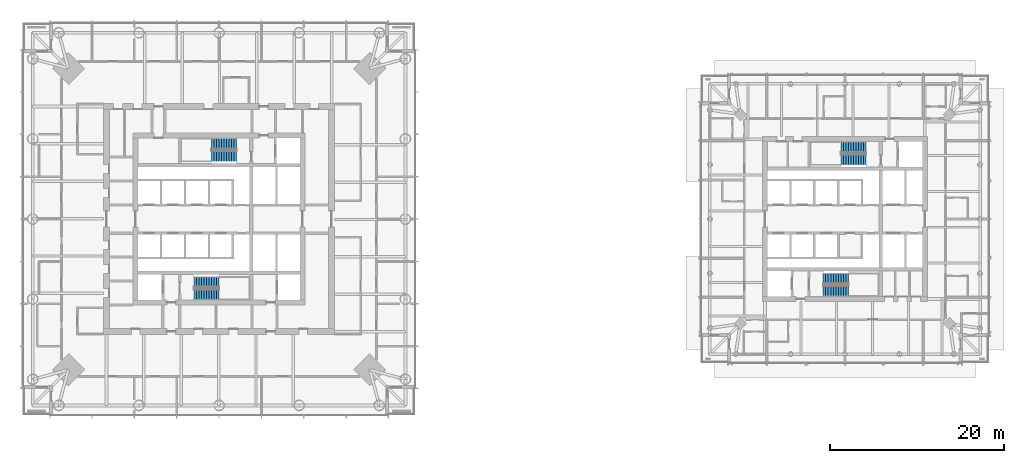
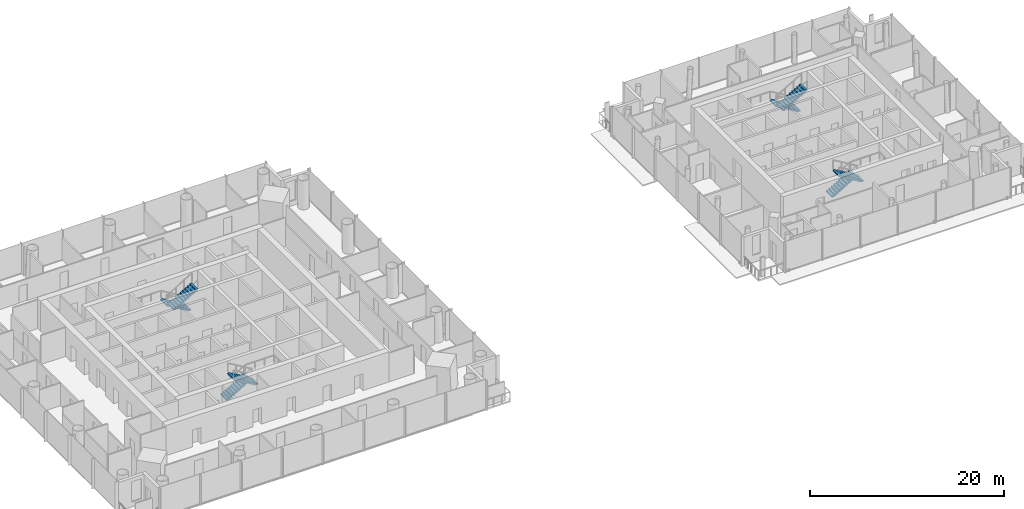
# One storey, part 16 of 20: 8 stair flights, 4 elements without a shape of their own.
"""IFC4 building model written with IfcOpenShell, lengths in metres."""

import ifcopenshell
import ifcopenshell.guid

model = None  # the IFC model being written
_history = None  # IfcOwnerHistory: only IFC2X3 demands one
_inside = {}  # id of a spatial element -> (the spatial element, [elements in it])
_under = {}  # id of a project, library or spatial element -> (it, [spatial elements below it])
_declared = {}  # id of a project -> (the project, [libraries it declares])
_typed = {}  # id of a type object -> (the type object, [elements of that type])
_made_of = {}  # id of a material, layer set ... -> (it, [elements and type objects made of it])


def new_model(schema):
    """Start an empty IFC model of exactly this schema.

    Asked for "IFC4X3", IfcOpenShell would pick the latest addendum, in which some entities
    have other attributes; the version numbers below select the first issue.
    IFC2X3 requires an IfcOwnerHistory on every rooted entity: one is made here for all.
    """
    global model, _history
    if schema == "IFC4X3":
        model = ifcopenshell.file(schema_version=(4, 3, 0, 0))
    else:
        model = ifcopenshell.file(schema=schema)
    _inside.clear()
    _under.clear()
    _declared.clear()
    _typed.clear()
    _made_of.clear()
    _history = None
    if model.schema == "IFC2X3":
        org = make("IfcOrganization", Name="unknown")
        user = make(
            "IfcPersonAndOrganization",
            ThePerson=make("IfcPerson", FamilyName="unknown"),
            TheOrganization=org,
        )
        app = make(
            "IfcApplication",
            ApplicationDeveloper=org,
            Version="unknown",
            ApplicationFullName="unknown",
            ApplicationIdentifier="unknown",
        )
        _history = make(
            "IfcOwnerHistory",
            OwningUser=user,
            OwningApplication=app,
            ChangeAction="ADDED",
            CreationDate=0,
        )
    return model


def make(cls, **values):
    """One entity of the class cls with the attributes given. An attribute that is None is left unset."""
    return model.create_entity(
        cls, **{name: value for name, value in values.items() if value is not None}
    )


def rooted(cls, **values):
    """An entity with a GlobalId (a new one), such as an element, a storey or a relation."""
    return make(cls, GlobalId=ifcopenshell.guid.new(), OwnerHistory=_history, **values)


def si_unit(unit_type, name, prefix=None):
    """IfcSIUnit, for example si_unit("LENGTHUNIT", "METRE", prefix="MILLI")."""
    return make("IfcSIUnit", UnitType=unit_type, Prefix=prefix, Name=name)


def assignment(units):
    """IfcUnitAssignment: the units of a project."""
    return None if units is None else make("IfcUnitAssignment", Units=units)


def point(xyz):
    """IfcCartesianPoint."""
    return None if xyz is None else make("IfcCartesianPoint", Coordinates=xyz)


def direction(xyz):
    """IfcDirection."""
    return None if xyz is None else make("IfcDirection", DirectionRatios=xyz)


def frame(location, z_axis=None, x_axis=None):
    """IfcAxis2Placement3D, a coordinate frame: its origin and axes. An axis left out is left unset."""
    return make(
        "IfcAxis2Placement3D",
        Location=point(location),
        Axis=direction(z_axis),
        RefDirection=direction(x_axis),
    )


def origin():
    """The frame at (0, 0, 0) with its axes left unset."""
    return frame((0.0, 0.0, 0.0))


def place(relative_to, where):
    """IfcLocalPlacement: puts the frame where relative to a parent placement (None: the world)."""
    return make(
        "IfcLocalPlacement", PlacementRelTo=relative_to, RelativePlacement=where
    )


def context(
    kind, dimensions, precision=None, world=None, true_north=None, identifier=None
):
    """IfcGeometricRepresentationContext, for example the 3D "Model" context."""
    return make(
        "IfcGeometricRepresentationContext",
        ContextIdentifier=identifier,
        ContextType=kind,
        CoordinateSpaceDimension=dimensions,
        Precision=precision,
        WorldCoordinateSystem=world,
        TrueNorth=true_north,
    )


def subcontext(parent, identifier, kind, view, scale=None):
    """IfcGeometricRepresentationSubContext, for example "Body" below "Model"."""
    return make(
        "IfcGeometricRepresentationSubContext",
        ContextIdentifier=identifier,
        ContextType=kind,
        ParentContext=parent,
        TargetScale=scale,
        TargetView=view,
    )


def project(units=None, contexts=None):
    """IfcProject with its units and contexts."""
    return rooted(
        "IfcProject",
        Name="project",
        RepresentationContexts=contexts,
        UnitsInContext=assignment(units),
    )


def spatial(cls, under=None, at=None, **own):
    """A site, building, storey or space (cls), placed at a placement, below another one or the project."""
    s = rooted(cls, ObjectPlacement=at, **own)
    if under is not None:
        _under.setdefault(under.id(), (under, []))[1].append(s)
    return s


def polyline(points):
    """IfcPolyline through the points."""
    return make("IfcPolyline", Points=[point(p) for p in points])


def outline(outer, holes=None, kind="AREA"):
    """IfcArbitraryClosedProfileDef: a profile drawn as a closed curve; with holes, ...WithVoids."""
    if holes is None:
        return make("IfcArbitraryClosedProfileDef", ProfileType=kind, OuterCurve=outer)
    return make(
        "IfcArbitraryProfileDefWithVoids",
        ProfileType=kind,
        OuterCurve=outer,
        InnerCurves=holes,
    )


def extrude(swept, where, along, depth):
    """IfcExtrudedAreaSolid: the profile swept, set in the frame where, extruded along a direction by depth."""
    return make(
        "IfcExtrudedAreaSolid",
        SweptArea=swept,
        Position=where,
        ExtrudedDirection=direction(along),
        Depth=depth,
    )


def shape(context_of_items, identifier, shape_type, items):
    """IfcShapeRepresentation: the items that make up one representation, for example the "Body"."""
    return make(
        "IfcShapeRepresentation",
        ContextOfItems=context_of_items,
        RepresentationIdentifier=identifier,
        RepresentationType=shape_type,
        Items=items,
    )


def material(Name=None, Category=None):
    """IfcMaterial."""
    return make("IfcMaterial", Name=Name, Category=Category)


def made_of(thing, what):
    """Note that an element or type object is made of a material, layer set ...; save() writes the relation."""
    if what is not None:
        _made_of.setdefault(what.id(), (what, []))[1].append(thing)
    return thing


def type_object(cls, material=None, **own):
    """A type object (cls), such as IfcWallType, which elements share."""
    return made_of(rooted(cls, **own), material)


def element(
    cls,
    number,
    at=None,
    inside=None,
    cuts=None,
    type_object=None,
    material=None,
    context=None,
    identifier="Body",
    shape_type=None,
    held_by="IfcProductDefinitionShape",
    body=None,
    shapes=None,
    **own,
):
    """One element of the class cls, such as IfcWall. Its Tag is "e" and its number.

    at: its placement. inside: the storey or other place that contains it. cuts: it is an
    opening in that element (IfcRelVoidsElement). A single representation is given by context,
    identifier, shape_type and body (its items); several are given by shapes. held_by: the class
    of the entity that holds the representations. save() writes the other relations.
    """
    e = rooted(cls, Tag="e%d" % number, ObjectPlacement=at, **own)
    if body is not None:
        shapes = [shape(context, identifier, shape_type, body)]
    if shapes is not None:
        e.Representation = make(held_by, Representations=shapes)
    if inside is not None:
        _inside.setdefault(inside.id(), (inside, []))[1].append(e)
    if cuts is not None:
        rooted(
            "IfcRelVoidsElement", RelatingBuildingElement=cuts, RelatedOpeningElement=e
        )
    if type_object is not None:
        _typed.setdefault(type_object.id(), (type_object, []))[1].append(e)
    return made_of(e, material)


def aggregate(whole, parts):
    """IfcRelAggregates: a whole, such as a stair, and the parts it consists of."""
    return rooted("IfcRelAggregates", RelatingObject=whole, RelatedObjects=parts)


def save(model, path):
    """Write the relations noted so far, then the file.

    IfcRelAggregates (storeys below a building ...), IfcRelContainedInSpatialStructure (elements
    in a storey), IfcRelDefinesByType, IfcRelAssociatesMaterial and IfcRelDeclares: one each for
    every whole, place, type object, material and project.
    """
    for whole, parts in _under.values():
        aggregate(whole, parts)
    for where, things in _inside.values():
        rooted(
            "IfcRelContainedInSpatialStructure",
            RelatedElements=things,
            RelatingStructure=where,
        )
    for kind, things in _typed.values():
        rooted("IfcRelDefinesByType", RelatedObjects=things, RelatingType=kind)
    for what, things in _made_of.values():
        rooted("IfcRelAssociatesMaterial", RelatedObjects=things, RelatingMaterial=what)
    for by, libraries in _declared.values():
        rooted("IfcRelDeclares", RelatingContext=by, RelatedDefinitions=libraries)
    model.write(path)


model = new_model("IFC4")

# Units and contexts
model_context = context("Model", 3, precision=1e-05, world=origin(), true_north=direction((0.0, 1.0)))
body_context = subcontext(model_context, "Body", "Model", "MODEL_VIEW")
ifc_project = project(units=[si_unit("LENGTHUNIT", "METRE"), si_unit("AREAUNIT", "SQUARE_METRE"), si_unit("VOLUMEUNIT", "CUBIC_METRE"), si_unit("PLANEANGLEUNIT", "RADIAN"), si_unit("MASSUNIT", "GRAM", prefix="KILO")], contexts=[model_context])

# Site, building, storey
site_placement = place(None, origin())
site = spatial("IfcSite", under=ifc_project, at=site_placement, CompositionType="ELEMENT")
building_placement = place(site_placement, origin())
building = spatial("IfcBuilding", under=site, at=building_placement, Name="Ostroluk Exchange", CompositionType="ELEMENT")
storey_placement = place(building_placement, frame((0.0, 0.0, 100.800048828125)))
storey = spatial("IfcBuildingStorey", under=building, at=storey_placement, Name="L25", CompositionType="ELEMENT", Elevation=100.800048828125)

# Stair, stair flights
ifc_material_1 = material(Name="Concrete C30/37", Category="concrete")
stair_type = type_object("IfcStairType", Name="Exit stair half turn 3800", PredefinedType="HALF_TURN_STAIR", material=ifc_material_1)
stair_1_placement = place(storey_placement, origin())
stair_1 = element("IfcStair", 1, at=stair_1_placement, inside=storey, type_object=stair_type, Name="Stair T1-S1 L25", PredefinedType="HALF_TURN_STAIR")
ifc_material_2 = material(Name="Concrete C30/37", Category="concrete")
stair_flight_type = type_object("IfcStairFlightType", Name="Stair flight 11 risers 172.7 x 290", PredefinedType="STRAIGHT", material=ifc_material_2)
stair_flight_1_placement = place(storey_placement, frame((42.10009765625, 38.77490234375, 0.0), z_axis=(0.0, 0.0, 1.0), x_axis=(1.0, 0.0, 0.0)))
stair_flight_1 = element("IfcStairFlight", 2, at=stair_flight_1_placement, type_object=stair_flight_type, Name="T1-S1 flight 1", NumberOfRisers=11, NumberOfTreads=10, PredefinedType="STRAIGHT", RiserHeight=0.172727273, TreadLength=0.29, context=body_context, shape_type="SweptSolid", body=[
    extrude(outline(polyline([(0.0, 0.0), (0.0, 0.172607421875), (0.2900390625, 0.172607421875), (0.2900390625, 0.345458984375), (0.580078125, 0.345458984375), (0.580078125, 0.51806640625), (0.8701171875, 0.51806640625), (0.8701171875, 0.69091796875), (1.159912109375, 0.69091796875), (1.159912109375, 0.863525390625), (1.449951171875, 0.863525390625), (1.449951171875, 1.036376953125), (1.739990234375, 1.036376953125), (1.739990234375, 1.208984375), (2.030029296875, 1.208984375), (2.030029296875, 1.3818359375), (2.320068359375, 1.3818359375), (2.320068359375, 1.554443359375), (2.610107421875, 1.554443359375), (2.610107421875, 1.727294921875), (2.89990234375, 1.727294921875), (2.89990234375, 1.89990234375), (2.89990234375, 1.552734375), (0.29296875, 0.0), (0.0, 0.0)])), frame((0.0, 0.625, 0.0), z_axis=(0.0, -1.0, 0.0), x_axis=(1.0, 0.0, 0.0)), (0.0, 0.0, 1.0), 1.25),
])
stair_flight_2_placement = place(storey_placement, frame((45.0, 37.324951171875, 1.89990234375), z_axis=(0.0, 0.0, 1.0), x_axis=(-1.0, 0.0, 0.0)))
stair_flight_2 = element("IfcStairFlight", 3, at=stair_flight_2_placement, type_object=stair_flight_type, Name="T1-S1 flight 2", NumberOfRisers=11, NumberOfTreads=10, PredefinedType="STRAIGHT", RiserHeight=0.172727273, TreadLength=0.29, context=body_context, shape_type="SweptSolid", body=[
    extrude(outline(polyline([(0.0, 0.0), (0.0, 0.172607421875), (0.2900390625, 0.172607421875), (0.2900390625, 0.345458984375), (0.580078125, 0.345458984375), (0.580078125, 0.51806640625), (0.8701171875, 0.51806640625), (0.8701171875, 0.69091796875), (1.159912109375, 0.69091796875), (1.159912109375, 0.863525390625), (1.449951171875, 0.863525390625), (1.449951171875, 1.036376953125), (1.739990234375, 1.036376953125), (1.739990234375, 1.208984375), (2.030029296875, 1.208984375), (2.030029296875, 1.3818359375), (2.320068359375, 1.3818359375), (2.320068359375, 1.554443359375), (2.610107421875, 1.554443359375), (2.610107421875, 1.727294921875), (2.89990234375, 1.727294921875), (2.89990234375, 1.89990234375), (2.89990234375, 1.552734375), (0.29296875, 0.0), (0.0, 0.0)])), frame((0.0, 0.625, 0.0), z_axis=(0.0, -1.0, 0.0), x_axis=(1.0, 0.0, 0.0)), (0.0, 0.0, 1.0), 1.25),
])
aggregate(stair_1, [stair_flight_1, stair_flight_2])

stair_2_placement = place(storey_placement, origin())
stair_2 = element("IfcStair", 4, at=stair_2_placement, inside=storey, type_object=stair_type, Name="Stair T1-S2 L25", PredefinedType="HALF_TURN_STAIR")
stair_flight_3_placement = place(storey_placement, frame((47.030029296875, 54.675048828125, 0.0), z_axis=(0.0, 0.0, 1.0), x_axis=(-1.0, 0.0, 0.0)))
stair_flight_3 = element("IfcStairFlight", 5, at=stair_flight_3_placement, type_object=stair_flight_type, Name="T1-S2 flight 1", NumberOfRisers=11, NumberOfTreads=10, PredefinedType="STRAIGHT", RiserHeight=0.172727273, TreadLength=0.29, context=body_context, shape_type="SweptSolid", body=[
    extrude(outline(polyline([(0.0, 0.0), (0.0, 0.172607421875), (0.2900390625, 0.172607421875), (0.2900390625, 0.345458984375), (0.580078125, 0.345458984375), (0.580078125, 0.51806640625), (0.8701171875, 0.51806640625), (0.8701171875, 0.69091796875), (1.159912109375, 0.69091796875), (1.159912109375, 0.863525390625), (1.449951171875, 0.863525390625), (1.449951171875, 1.036376953125), (1.739990234375, 1.036376953125), (1.739990234375, 1.208984375), (2.030029296875, 1.208984375), (2.030029296875, 1.3818359375), (2.320068359375, 1.3818359375), (2.320068359375, 1.554443359375), (2.610107421875, 1.554443359375), (2.610107421875, 1.727294921875), (2.89990234375, 1.727294921875), (2.89990234375, 1.89990234375), (2.89990234375, 1.552734375), (0.29296875, 0.0), (0.0, 0.0)])), frame((0.0, 0.625, 0.0), z_axis=(0.0, -1.0, 0.0), x_axis=(1.0, 0.0, 0.0)), (0.0, 0.0, 1.0), 1.25),
])
stair_flight_4_placement = place(storey_placement, frame((44.1298828125, 53.22509765625, 1.89990234375), z_axis=(0.0, 0.0, 1.0), x_axis=(1.0, 0.0, 0.0)))
stair_flight_4 = element("IfcStairFlight", 6, at=stair_flight_4_placement, type_object=stair_flight_type, Name="T1-S2 flight 2", NumberOfRisers=11, NumberOfTreads=10, PredefinedType="STRAIGHT", RiserHeight=0.172727273, TreadLength=0.29, context=body_context, shape_type="SweptSolid", body=[
    extrude(outline(polyline([(0.0, 0.0), (0.0, 0.172607421875), (0.2900390625, 0.172607421875), (0.2900390625, 0.345458984375), (0.580078125, 0.345458984375), (0.580078125, 0.51806640625), (0.8701171875, 0.51806640625), (0.8701171875, 0.69091796875), (1.159912109375, 0.69091796875), (1.159912109375, 0.863525390625), (1.449951171875, 0.863525390625), (1.449951171875, 1.036376953125), (1.739990234375, 1.036376953125), (1.739990234375, 1.208984375), (2.030029296875, 1.208984375), (2.030029296875, 1.3818359375), (2.320068359375, 1.3818359375), (2.320068359375, 1.554443359375), (2.610107421875, 1.554443359375), (2.610107421875, 1.727294921875), (2.89990234375, 1.727294921875), (2.89990234375, 1.89990234375), (2.89990234375, 1.552734375), (0.29296875, 0.0), (0.0, 0.0)])), frame((0.0, 0.625, 0.0), z_axis=(0.0, -1.0, 0.0), x_axis=(1.0, 0.0, 0.0)), (0.0, 0.0, 1.0), 1.25),
])
aggregate(stair_2, [stair_flight_3, stair_flight_4])

stair_3_placement = place(storey_placement, origin())
stair_3 = element("IfcStair", 7, at=stair_3_placement, inside=storey, type_object=stair_type, Name="Stair T2-S1 L25", PredefinedType="HALF_TURN_STAIR")
stair_flight_5_placement = place(storey_placement, frame((114.5, 39.175048828125, 0.0), z_axis=(0.0, 0.0, 1.0), x_axis=(1.0, 0.0, 0.0)))
stair_flight_5 = element("IfcStairFlight", 8, at=stair_flight_5_placement, type_object=stair_flight_type, Name="T2-S1 flight 1", NumberOfRisers=11, NumberOfTreads=10, PredefinedType="STRAIGHT", RiserHeight=0.172727273, TreadLength=0.29, context=body_context, shape_type="SweptSolid", body=[
    extrude(outline(polyline([(0.0, 0.0), (0.0, 0.172607421875), (0.2900390625, 0.172607421875), (0.2900390625, 0.345458984375), (0.580078125, 0.345458984375), (0.580078125, 0.51806640625), (0.8701171875, 0.51806640625), (0.8701171875, 0.69091796875), (1.159912109375, 0.69091796875), (1.159912109375, 0.863525390625), (1.449951171875, 0.863525390625), (1.449951171875, 1.036376953125), (1.739990234375, 1.036376953125), (1.739990234375, 1.208984375), (2.030029296875, 1.208984375), (2.030029296875, 1.3818359375), (2.320068359375, 1.3818359375), (2.320068359375, 1.554443359375), (2.610107421875, 1.554443359375), (2.610107421875, 1.727294921875), (2.89990234375, 1.727294921875), (2.89990234375, 1.89990234375), (2.89990234375, 1.552734375), (0.29296875, 0.0), (0.0, 0.0)])), frame((0.0, 0.625, 0.0), z_axis=(0.0, -1.0, 0.0), x_axis=(1.0, 0.0, 0.0)), (0.0, 0.0, 1.0), 1.25),
])
stair_flight_6_placement = place(storey_placement, frame((117.39990234375, 37.72509765625, 1.89990234375), z_axis=(0.0, 0.0, 1.0), x_axis=(-1.0, 0.0, 0.0)))
stair_flight_6 = element("IfcStairFlight", 9, at=stair_flight_6_placement, type_object=stair_flight_type, Name="T2-S1 flight 2", NumberOfRisers=11, NumberOfTreads=10, PredefinedType="STRAIGHT", RiserHeight=0.172727273, TreadLength=0.29, context=body_context, shape_type="SweptSolid", body=[
    extrude(outline(polyline([(0.0, 0.0), (0.0, 0.172607421875), (0.2900390625, 0.172607421875), (0.2900390625, 0.345458984375), (0.580078125, 0.345458984375), (0.580078125, 0.51806640625), (0.8701171875, 0.51806640625), (0.8701171875, 0.69091796875), (1.159912109375, 0.69091796875), (1.159912109375, 0.863525390625), (1.449951171875, 0.863525390625), (1.449951171875, 1.036376953125), (1.739990234375, 1.036376953125), (1.739990234375, 1.208984375), (2.030029296875, 1.208984375), (2.030029296875, 1.3818359375), (2.320068359375, 1.3818359375), (2.320068359375, 1.554443359375), (2.610107421875, 1.554443359375), (2.610107421875, 1.727294921875), (2.89990234375, 1.727294921875), (2.89990234375, 1.89990234375), (2.89990234375, 1.552734375), (0.29296875, 0.0), (0.0, 0.0)])), frame((0.0, 0.625, 0.0), z_axis=(0.0, -1.0, 0.0), x_axis=(1.0, 0.0, 0.0)), (0.0, 0.0, 1.0), 1.25),
])
aggregate(stair_3, [stair_flight_5, stair_flight_6])

stair_4_placement = place(storey_placement, origin())
stair_4 = element("IfcStair", 10, at=stair_4_placement, inside=storey, type_object=stair_type, Name="Stair T2-S2 L25", PredefinedType="HALF_TURN_STAIR")
stair_flight_7_placement = place(storey_placement, frame((119.429931640625, 54.27490234375, 0.0), z_axis=(0.0, 0.0, 1.0), x_axis=(-1.0, 0.0, 0.0)))
stair_flight_7 = element("IfcStairFlight", 11, at=stair_flight_7_placement, type_object=stair_flight_type, Name="T2-S2 flight 1", NumberOfRisers=11, NumberOfTreads=10, PredefinedType="STRAIGHT", RiserHeight=0.172727273, TreadLength=0.29, context=body_context, shape_type="SweptSolid", body=[
    extrude(outline(polyline([(0.0, 0.0), (0.0, 0.172607421875), (0.2900390625, 0.172607421875), (0.2900390625, 0.345458984375), (0.580078125, 0.345458984375), (0.580078125, 0.51806640625), (0.8701171875, 0.51806640625), (0.8701171875, 0.69091796875), (1.159912109375, 0.69091796875), (1.159912109375, 0.863525390625), (1.449951171875, 0.863525390625), (1.449951171875, 1.036376953125), (1.739990234375, 1.036376953125), (1.739990234375, 1.208984375), (2.030029296875, 1.208984375), (2.030029296875, 1.3818359375), (2.320068359375, 1.3818359375), (2.320068359375, 1.554443359375), (2.610107421875, 1.554443359375), (2.610107421875, 1.727294921875), (2.89990234375, 1.727294921875), (2.89990234375, 1.89990234375), (2.89990234375, 1.552734375), (0.29296875, 0.0), (0.0, 0.0)])), frame((0.0, 0.625, 0.0), z_axis=(0.0, -1.0, 0.0), x_axis=(1.0, 0.0, 0.0)), (0.0, 0.0, 1.0), 1.25),
])
stair_flight_8_placement = place(storey_placement, frame((116.530029296875, 52.824951171875, 1.89990234375), z_axis=(0.0, 0.0, 1.0), x_axis=(1.0, 0.0, 0.0)))
stair_flight_8 = element("IfcStairFlight", 12, at=stair_flight_8_placement, type_object=stair_flight_type, Name="T2-S2 flight 2", NumberOfRisers=11, NumberOfTreads=10, PredefinedType="STRAIGHT", RiserHeight=0.172727273, TreadLength=0.29, context=body_context, shape_type="SweptSolid", body=[
    extrude(outline(polyline([(0.0, 0.0), (0.0, 0.172607421875), (0.2900390625, 0.172607421875), (0.2900390625, 0.345458984375), (0.580078125, 0.345458984375), (0.580078125, 0.51806640625), (0.8701171875, 0.51806640625), (0.8701171875, 0.69091796875), (1.159912109375, 0.69091796875), (1.159912109375, 0.863525390625), (1.449951171875, 0.863525390625), (1.449951171875, 1.036376953125), (1.739990234375, 1.036376953125), (1.739990234375, 1.208984375), (2.030029296875, 1.208984375), (2.030029296875, 1.3818359375), (2.320068359375, 1.3818359375), (2.320068359375, 1.554443359375), (2.610107421875, 1.554443359375), (2.610107421875, 1.727294921875), (2.89990234375, 1.727294921875), (2.89990234375, 1.89990234375), (2.89990234375, 1.552734375), (0.29296875, 0.0), (0.0, 0.0)])), frame((0.0, 0.625, 0.0), z_axis=(0.0, -1.0, 0.0), x_axis=(1.0, 0.0, 0.0)), (0.0, 0.0, 1.0), 1.25),
])
aggregate(stair_4, [stair_flight_7, stair_flight_8])

save(model, "model.ifc")
